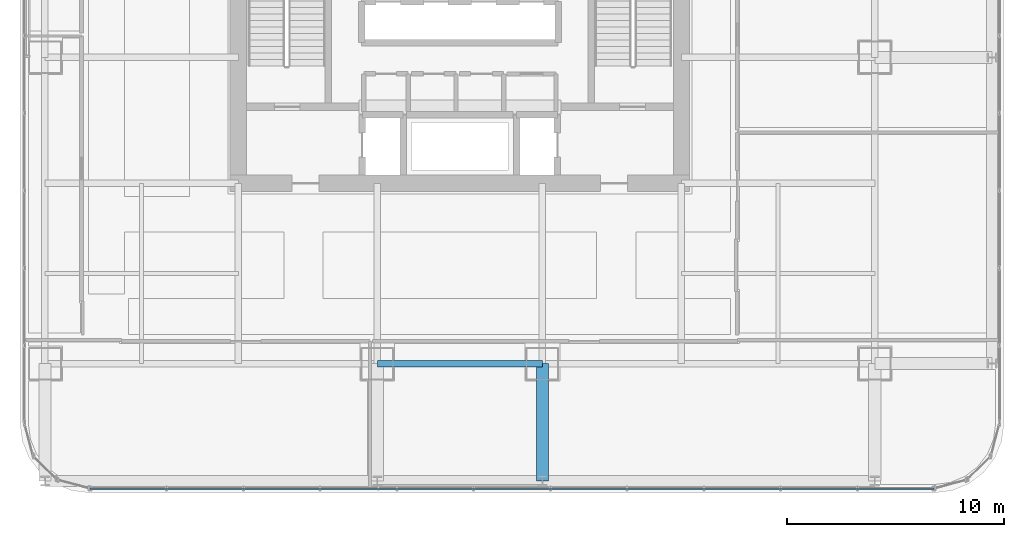
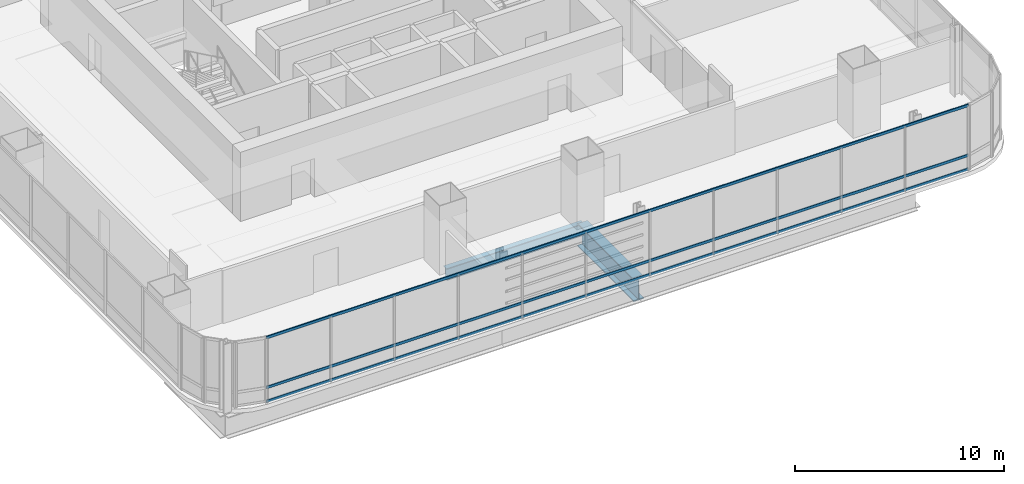
# One storey, part 5 of 35: 3 members, 2 beams, 1 element without a shape of its own.
"""IFC4 building model written with IfcOpenShell, lengths in metres."""

import ifcopenshell
import ifcopenshell.guid

model = None  # the IFC model being written
_history = None  # IfcOwnerHistory: only IFC2X3 demands one
_inside = {}  # id of a spatial element -> (the spatial element, [elements in it])
_under = {}  # id of a project, library or spatial element -> (it, [spatial elements below it])
_declared = {}  # id of a project -> (the project, [libraries it declares])
_typed = {}  # id of a type object -> (the type object, [elements of that type])
_made_of = {}  # id of a material, layer set ... -> (it, [elements and type objects made of it])


def new_model(schema):
    """Start an empty IFC model of exactly this schema.

    Asked for "IFC4X3", IfcOpenShell would pick the latest addendum, in which some entities
    have other attributes; the version numbers below select the first issue.
    IFC2X3 requires an IfcOwnerHistory on every rooted entity: one is made here for all.
    """
    global model, _history
    if schema == "IFC4X3":
        model = ifcopenshell.file(schema_version=(4, 3, 0, 0))
    else:
        model = ifcopenshell.file(schema=schema)
    _inside.clear()
    _under.clear()
    _declared.clear()
    _typed.clear()
    _made_of.clear()
    _history = None
    if model.schema == "IFC2X3":
        org = make("IfcOrganization", Name="unknown")
        user = make(
            "IfcPersonAndOrganization",
            ThePerson=make("IfcPerson", FamilyName="unknown"),
            TheOrganization=org,
        )
        app = make(
            "IfcApplication",
            ApplicationDeveloper=org,
            Version="unknown",
            ApplicationFullName="unknown",
            ApplicationIdentifier="unknown",
        )
        _history = make(
            "IfcOwnerHistory",
            OwningUser=user,
            OwningApplication=app,
            ChangeAction="ADDED",
            CreationDate=0,
        )
    return model


def make(cls, **values):
    """One entity of the class cls with the attributes given. An attribute that is None is left unset."""
    return model.create_entity(
        cls, **{name: value for name, value in values.items() if value is not None}
    )


def rooted(cls, **values):
    """An entity with a GlobalId (a new one), such as an element, a storey or a relation."""
    return make(cls, GlobalId=ifcopenshell.guid.new(), OwnerHistory=_history, **values)


def si_unit(unit_type, name, prefix=None):
    """IfcSIUnit, for example si_unit("LENGTHUNIT", "METRE", prefix="MILLI")."""
    return make("IfcSIUnit", UnitType=unit_type, Prefix=prefix, Name=name)


def assignment(units):
    """IfcUnitAssignment: the units of a project."""
    return None if units is None else make("IfcUnitAssignment", Units=units)


def point(xyz):
    """IfcCartesianPoint."""
    return None if xyz is None else make("IfcCartesianPoint", Coordinates=xyz)


def direction(xyz):
    """IfcDirection."""
    return None if xyz is None else make("IfcDirection", DirectionRatios=xyz)


def frame(location, z_axis=None, x_axis=None):
    """IfcAxis2Placement3D, a coordinate frame: its origin and axes. An axis left out is left unset."""
    return make(
        "IfcAxis2Placement3D",
        Location=point(location),
        Axis=direction(z_axis),
        RefDirection=direction(x_axis),
    )


def frame_2d(location, x_axis=None):
    """IfcAxis2Placement2D, a coordinate frame in the plane: its origin and x axis."""
    return make(
        "IfcAxis2Placement2D", Location=point(location), RefDirection=direction(x_axis)
    )


def origin():
    """The frame at (0, 0, 0) with its axes left unset."""
    return frame((0.0, 0.0, 0.0))


def origin_2d():
    """The frame at (0, 0) in the plane with its x axis left unset."""
    return frame_2d((0.0, 0.0))


def place(relative_to, where):
    """IfcLocalPlacement: puts the frame where relative to a parent placement (None: the world)."""
    return make(
        "IfcLocalPlacement", PlacementRelTo=relative_to, RelativePlacement=where
    )


def context(
    kind, dimensions, precision=None, world=None, true_north=None, identifier=None
):
    """IfcGeometricRepresentationContext, for example the 3D "Model" context."""
    return make(
        "IfcGeometricRepresentationContext",
        ContextIdentifier=identifier,
        ContextType=kind,
        CoordinateSpaceDimension=dimensions,
        Precision=precision,
        WorldCoordinateSystem=world,
        TrueNorth=true_north,
    )


def subcontext(parent, identifier, kind, view, scale=None):
    """IfcGeometricRepresentationSubContext, for example "Body" below "Model"."""
    return make(
        "IfcGeometricRepresentationSubContext",
        ContextIdentifier=identifier,
        ContextType=kind,
        ParentContext=parent,
        TargetScale=scale,
        TargetView=view,
    )


def project(units=None, contexts=None):
    """IfcProject with its units and contexts."""
    return rooted(
        "IfcProject",
        Name="project",
        RepresentationContexts=contexts,
        UnitsInContext=assignment(units),
    )


def spatial(cls, under=None, at=None, **own):
    """A site, building, storey or space (cls), placed at a placement, below another one or the project."""
    s = rooted(cls, ObjectPlacement=at, **own)
    if under is not None:
        _under.setdefault(under.id(), (under, []))[1].append(s)
    return s


def profile(cls, at=None, kind="AREA", **sizes):
    """A parametric profile (cls). Its sizes go by their IFC names, for example OverallWidth=200.0."""
    return make(cls, ProfileType=kind, Position=at, **sizes)


def hollow_rectangle(**sizes):
    """IfcRectangleHollowProfileDef."""
    return profile("IfcRectangleHollowProfileDef", **sizes)


def i_section(**sizes):
    """IfcIShapeProfileDef."""
    return profile("IfcIShapeProfileDef", **sizes)


def extrude(swept, where, along, depth):
    """IfcExtrudedAreaSolid: the profile swept, set in the frame where, extruded along a direction by depth."""
    return make(
        "IfcExtrudedAreaSolid",
        SweptArea=swept,
        Position=where,
        ExtrudedDirection=direction(along),
        Depth=depth,
    )


def shape(context_of_items, identifier, shape_type, items):
    """IfcShapeRepresentation: the items that make up one representation, for example the "Body"."""
    return make(
        "IfcShapeRepresentation",
        ContextOfItems=context_of_items,
        RepresentationIdentifier=identifier,
        RepresentationType=shape_type,
        Items=items,
    )


def material(Name=None, Category=None):
    """IfcMaterial."""
    return make("IfcMaterial", Name=Name, Category=Category)


def material_profile(
    of_material, cross_section, Name=None, Category=None, Priority=None
):
    """IfcMaterialProfile: a cross section and its material."""
    return make(
        "IfcMaterialProfile",
        Name=Name,
        Material=of_material,
        Profile=cross_section,
        Priority=Priority,
        Category=Category,
    )


def profile_set(profiles, Name=None, composite=None):
    """IfcMaterialProfileSet."""
    return make(
        "IfcMaterialProfileSet",
        Name=Name,
        MaterialProfiles=profiles,
        CompositeProfile=composite,
    )


def made_of(thing, what):
    """Note that an element or type object is made of a material, layer set ...; save() writes the relation."""
    if what is not None:
        _made_of.setdefault(what.id(), (what, []))[1].append(thing)
    return thing


def type_object(cls, material=None, **own):
    """A type object (cls), such as IfcWallType, which elements share."""
    return made_of(rooted(cls, **own), material)


def element(
    cls,
    number,
    at=None,
    inside=None,
    cuts=None,
    type_object=None,
    material=None,
    context=None,
    identifier="Body",
    shape_type=None,
    held_by="IfcProductDefinitionShape",
    body=None,
    shapes=None,
    **own,
):
    """One element of the class cls, such as IfcWall. Its Tag is "e" and its number.

    at: its placement. inside: the storey or other place that contains it. cuts: it is an
    opening in that element (IfcRelVoidsElement). A single representation is given by context,
    identifier, shape_type and body (its items); several are given by shapes. held_by: the class
    of the entity that holds the representations. save() writes the other relations.
    """
    e = rooted(cls, Tag="e%d" % number, ObjectPlacement=at, **own)
    if body is not None:
        shapes = [shape(context, identifier, shape_type, body)]
    if shapes is not None:
        e.Representation = make(held_by, Representations=shapes)
    if inside is not None:
        _inside.setdefault(inside.id(), (inside, []))[1].append(e)
    if cuts is not None:
        rooted(
            "IfcRelVoidsElement", RelatingBuildingElement=cuts, RelatedOpeningElement=e
        )
    if type_object is not None:
        _typed.setdefault(type_object.id(), (type_object, []))[1].append(e)
    return made_of(e, material)


def aggregate(whole, parts):
    """IfcRelAggregates: a whole, such as a stair, and the parts it consists of."""
    return rooted("IfcRelAggregates", RelatingObject=whole, RelatedObjects=parts)


def save(model, path):
    """Write the relations noted so far, then the file.

    IfcRelAggregates (storeys below a building ...), IfcRelContainedInSpatialStructure (elements
    in a storey), IfcRelDefinesByType, IfcRelAssociatesMaterial and IfcRelDeclares: one each for
    every whole, place, type object, material and project.
    """
    for whole, parts in _under.values():
        aggregate(whole, parts)
    for where, things in _inside.values():
        rooted(
            "IfcRelContainedInSpatialStructure",
            RelatedElements=things,
            RelatingStructure=where,
        )
    for kind, things in _typed.values():
        rooted("IfcRelDefinesByType", RelatedObjects=things, RelatingType=kind)
    for what, things in _made_of.values():
        rooted("IfcRelAssociatesMaterial", RelatedObjects=things, RelatingMaterial=what)
    for by, libraries in _declared.values():
        rooted("IfcRelDeclares", RelatingContext=by, RelatedDefinitions=libraries)
    model.write(path)


model = new_model("IFC4")

# Units and contexts
model_context = context("Model", 3, precision=1e-05, world=origin(), true_north=direction((0.0, 1.0)))
body_context = subcontext(model_context, "Body", "Model", "MODEL_VIEW")
ifc_project = project(units=[si_unit("LENGTHUNIT", "METRE"), si_unit("AREAUNIT", "SQUARE_METRE"), si_unit("VOLUMEUNIT", "CUBIC_METRE"), si_unit("PLANEANGLEUNIT", "RADIAN"), si_unit("MASSUNIT", "GRAM", prefix="KILO")], contexts=[model_context])

# Site, building, storey
site_placement = place(None, origin())
site = spatial("IfcSite", under=ifc_project, at=site_placement, CompositionType="ELEMENT")
building_placement = place(site_placement, origin())
building = spatial("IfcBuilding", under=site, at=building_placement, Name="Punatoya Terracotta Tower", CompositionType="ELEMENT")
storey_placement = place(building_placement, frame((0.0, 0.0, 72.75)))
storey = spatial("IfcBuildingStorey", under=building, at=storey_placement, Name="L16", CompositionType="ELEMENT", Elevation=72.75)

# Beams
ifc_material_1 = material(Name="Steel S355", Category="steel")
ifc_material_profile_1 = material_profile(ifc_material_1, i_section(OverallWidth=0.300048828125, OverallDepth=0.699951171875, WebThickness=0.01708984375, FlangeThickness=0.031982421875, FilletRadius=0.01806640625, at=origin_2d()))
ifc_profile_set_1 = profile_set([ifc_material_profile_1], Name="Steel S355")
beam_type_1 = type_object("IfcBeamType", Name="BM-PRI-700", PredefinedType="BEAM", material=ifc_profile_set_1)
beam_1_placement = place(storey_placement, frame((-3.800048828125, -17.5, -0.590087890625), z_axis=(1.0, 0.0, 0.0), x_axis=(0.0, 1.0, 0.0)))
element("IfcBeam", 1, at=beam_1_placement, inside=storey, type_object=beam_type_1, Name="BM-L16-RG-S2", PredefinedType="BEAM", context=body_context, shape_type="SweptSolid", body=[
    extrude(i_section(OverallWidth=0.300048828125, OverallDepth=0.699951171875, WebThickness=0.01708984375, FlangeThickness=0.031982421875, FilletRadius=0.01806640625, at=origin_2d()), origin(), (0.0, 0.0, 1.0), 7.60009765625),
])
ifc_material_2 = material(Name="Steel S460", Category="steel")
ifc_material_profile_2 = material_profile(ifc_material_2, i_section(OverallWidth=0.56005859375, OverallDepth=1.320068359375, WebThickness=0.035888671875, FlangeThickness=0.054931640625, FilletRadius=0.01806640625, at=origin_2d()))
ifc_profile_set_2 = profile_set([ifc_material_profile_2], Name="Steel S460")
beam_type_2 = type_object("IfcBeamType", Name="BM-TG-BLK", PredefinedType="BEAM", material=ifc_profile_set_2)
beam_2_placement = place(storey_placement, frame((3.800048828125, -22.89990234375, -0.89990234375), z_axis=(0.0, 1.0, 0.0), x_axis=(-1.0, 0.0, 0.0)))
element("IfcBeam", 2, at=beam_2_placement, inside=storey, type_object=beam_type_2, Name="BM-L16-CANT-S3", PredefinedType="BEAM", context=body_context, shape_type="SweptSolid", body=[
    extrude(i_section(OverallWidth=0.56005859375, OverallDepth=1.320068359375, WebThickness=0.035888671875, FlangeThickness=0.054931640625, FilletRadius=0.01806640625, at=origin_2d()), origin(), (0.0, 0.0, 1.0), 5.39990234375),
])

# Curtain wall, members
ifc_material_3 = material(Name="Aluminium 6063-T6 + Double Low-E Glass", Category="aluminium")
curtain_wall_type = type_object("IfcCurtainWallType", Name="CW-M1", PredefinedType="NOTDEFINED", material=ifc_material_3)
curtain_wall_placement = place(storey_placement, origin())
curtain_wall = element("IfcCurtainWall", 3, at=curtain_wall_placement, inside=storey, type_object=curtain_wall_type, Name="L16 Curtain Wall CW-L16-S01-1", PredefinedType="NOTDEFINED")
ifc_material_4 = material(Name="Aluminium 6063-T6", Category="aluminium")
ifc_material_profile_3 = material_profile(ifc_material_4, hollow_rectangle(XDim=0.068115234375, YDim=0.14990234375, WallThickness=0.00390625, at=origin_2d()))
ifc_profile_set_3 = profile_set([ifc_material_profile_3], Name="Aluminium 6063-T6")
member_type = type_object("IfcMemberType", Name="CW-TRN-TYP", PredefinedType="USERDEFINED", material=ifc_profile_set_3)
member_1_placement = place(storey_placement, frame((-17.036865234375, -23.25, 0.0400390625), z_axis=(1.0, 0.0, 0.0), x_axis=(0.0, 1.0, 0.0)))
member_1 = element("IfcMember", 4, at=member_1_placement, type_object=member_type, Name="CW-L16-S01-1 Transom 1", ObjectType="TRANSOM", PredefinedType="USERDEFINED", context=body_context, shape_type="SweptSolid", body=[
    extrude(hollow_rectangle(XDim=0.068115234375, YDim=0.14990234375, WallThickness=0.00390625, at=origin_2d()), origin(), (0.0, 0.0, 1.0), 38.873779296875),
])
member_2_placement = place(storey_placement, frame((-17.036865234375, -23.25, 0.85009765625), z_axis=(1.0, 0.0, 0.0), x_axis=(0.0, 1.0, 0.0)))
member_2 = element("IfcMember", 5, at=member_2_placement, type_object=member_type, Name="CW-L16-S01-1 Transom 2", ObjectType="TRANSOM", PredefinedType="USERDEFINED", context=body_context, shape_type="SweptSolid", body=[
    extrude(hollow_rectangle(XDim=0.068115234375, YDim=0.14990234375, WallThickness=0.00390625, at=origin_2d()), origin(), (0.0, 0.0, 1.0), 38.873779296875),
])
member_3_placement = place(storey_placement, frame((-17.036865234375, -23.25, 3.77001953125), z_axis=(1.0, 0.0, 0.0), x_axis=(0.0, 1.0, 0.0)))
member_3 = element("IfcMember", 6, at=member_3_placement, type_object=member_type, Name="CW-L16-S01-1 Transom 3", ObjectType="TRANSOM", PredefinedType="USERDEFINED", context=body_context, shape_type="SweptSolid", body=[
    extrude(hollow_rectangle(XDim=0.068115234375, YDim=0.14990234375, WallThickness=0.00390625, at=origin_2d()), origin(), (0.0, 0.0, 1.0), 38.873779296875),
])
aggregate(curtain_wall, [member_1, member_2, member_3])

save(model, "model.ifc")
